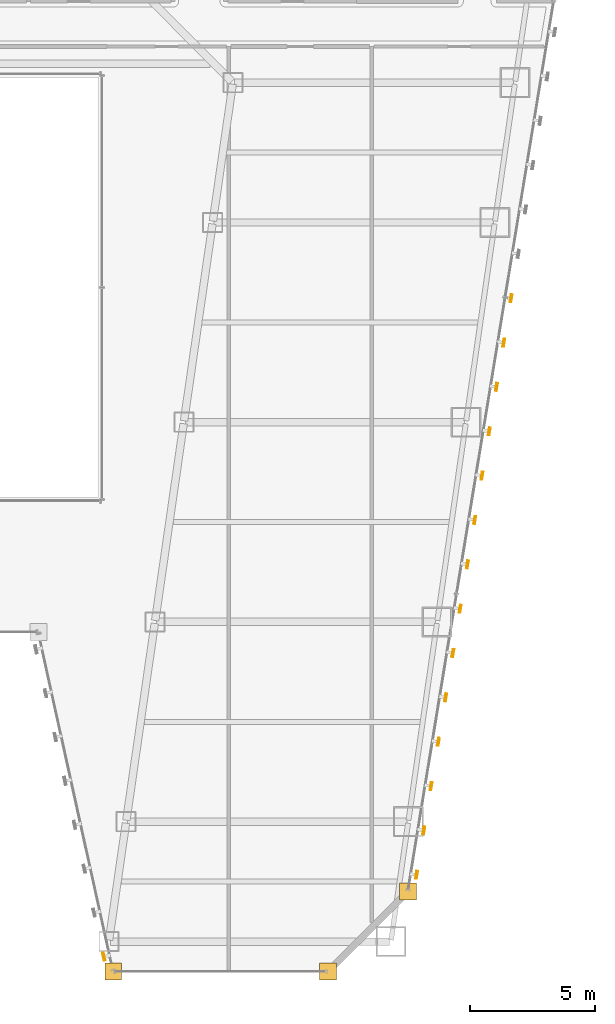
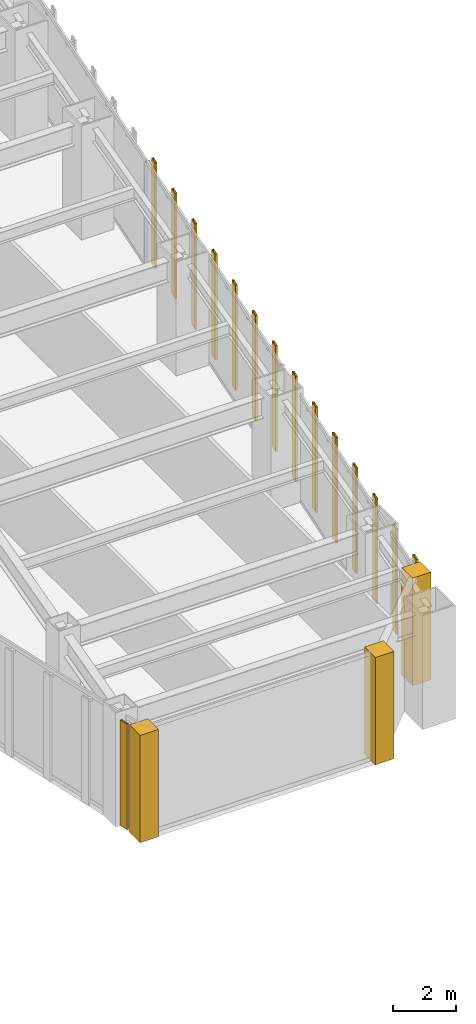
# One storey, part 44 of 49: 15 shading devices, 3 coverings.
"""IFC4 building model written with IfcOpenShell, lengths in metres."""

from ifc_helpers import new_model, si_unit, direction, frame, origin, origin_2d, place, context, subcontext, project, spatial, polyline, hollow_rectangle, outline, extrude, material, layer, layer_set, material_profile, profile_set, type_object, element, save


model = new_model("IFC4")

# Units and contexts
model_context = context("Model", 3, precision=1e-05, world=origin(), true_north=direction((0.0, 1.0)))
body_context = subcontext(model_context, "Body", "Model", "MODEL_VIEW")
ifc_project = project(units=[si_unit("LENGTHUNIT", "METRE"), si_unit("AREAUNIT", "SQUARE_METRE"), si_unit("VOLUMEUNIT", "CUBIC_METRE"), si_unit("PLANEANGLEUNIT", "RADIAN"), si_unit("MASSUNIT", "GRAM", prefix="KILO")], contexts=[model_context])

# Site, building, storey
site_placement = place(None, origin())
site = spatial("IfcSite", under=ifc_project, at=site_placement, CompositionType="ELEMENT")
building_placement = place(site_placement, origin())
building = spatial("IfcBuilding", under=site, at=building_placement, Name="Saevonmaru Cultural Tower", CompositionType="ELEMENT")
storey_placement = place(building_placement, frame((0.0, 0.0, 73.60009765625)))
storey = spatial("IfcBuildingStorey", under=building, at=storey_placement, Name="L15", CompositionType="ELEMENT", Elevation=73.60009765625)

# Coverings
ifc_material = material(Name="Satin Bronze Anodised Aluminium", Category="aluminium")
ifc_layer = layer(ifc_material, 0.679931640625, Name="Satin Bronze Anodised Aluminium")
ifc_layer_set = layer_set([ifc_layer], Name="Satin Bronze Anodised Aluminium")
covering_type = type_object("IfcCoveringType", Name="CV-CORNER-CLAD", PredefinedType="CLADDING", material=ifc_layer_set)
covering_1_placement = place(storey_placement, origin())
element("IfcCovering", 1, at=covering_1_placement, inside=storey, type_object=covering_type, Name="L15 Tower Bronze Corner Cladding Pier 6", PredefinedType="CLADDING", context=body_context, shape_type="SweptSolid", body=[
    extrude(outline(polyline([(36.06005859375, 1.659912109375), (36.739990234375, 1.659912109375), (36.739990234375, 2.340087890625), (36.06005859375, 2.340087890625), (36.06005859375, 1.659912109375)])), origin(), (0.0, 0.0, 1.0), 4.14990234375),
])
covering_2_placement = place(storey_placement, origin())
element("IfcCovering", 2, at=covering_2_placement, inside=storey, type_object=covering_type, Name="L15 Tower Bronze Corner Cladding Pier 7", PredefinedType="CLADDING", context=body_context, shape_type="SweptSolid", body=[
    extrude(outline(polyline([(44.659912109375, 1.659912109375), (45.340087890625, 1.659912109375), (45.340087890625, 2.340087890625), (44.659912109375, 2.340087890625), (44.659912109375, 1.659912109375)])), origin(), (0.0, 0.0, 1.0), 4.14990234375),
])
covering_3_placement = place(storey_placement, origin())
element("IfcCovering", 3, at=covering_3_placement, inside=storey, type_object=covering_type, Name="L15 Tower Bronze Corner Cladding Pier 8", PredefinedType="CLADDING", context=body_context, shape_type="SweptSolid", body=[
    extrude(outline(polyline([(47.860107421875, 4.860107421875), (48.5400390625, 4.860107421875), (48.5400390625, 5.5400390625), (47.860107421875, 5.5400390625), (47.860107421875, 4.860107421875)])), origin(), (0.0, 0.0, 1.0), 4.14990234375),
])

# Shading devices
ifc_material_profile = material_profile(ifc_material, hollow_rectangle(XDim=0.070068359375, YDim=0.320068359375, WallThickness=0.0048828125, at=origin_2d()), Name="FIN-320x70")
ifc_profile_set = profile_set([ifc_material_profile], Name="Satin Bronze Anodised Aluminium")
shading_device_type = type_object("IfcShadingDeviceType", Name="SHD-FIN-320", PredefinedType="JALOUSIE", material=ifc_profile_set)
for number, where, z_axis, x_axis, name in (
    (4, (36.022705078125, 2.59619140625, 0.0498046875), (0.0, 0.0, 1.0), (-0.976522126798, -0.215417120661, 0.0), "L15 Art Deco Sawtooth Bronze Fin E5-08"),
    (5, (48.552978515625, 5.869140625, 0.0498046875), (0.0, 0.0, 1.0), (0.986827496189, -0.161776057456, 0.0), "L15 Art Deco Sawtooth Bronze Fin E8-01"),
    (6, (48.843994140625, 7.6455078125, 0.0498046875), (0.0, 0.0, 1.0), (0.986827496189, -0.161776057456, 0.0), "L15 Art Deco Sawtooth Bronze Fin E8-02"),
    (7, (49.135009765625, 9.421875, 0.0498046875), (0.0, 0.0, 1.0), (0.986827496189, -0.161776057456, 0.0), "L15 Art Deco Sawtooth Bronze Fin E8-03"),
    (8, (49.426025390625, 11.197998046875, 0.0498046875), (0.0, 0.0, 1.0), (0.986827496189, -0.161776057456, 0.0), "L15 Art Deco Sawtooth Bronze Fin E8-04"),
    (9, (49.71728515625, 12.974365234375, 0.0498046875), (0.0, 0.0, 1.0), (0.986827496189, -0.161776057456, 0.0), "L15 Art Deco Sawtooth Bronze Fin E8-05"),
    (10, (50.00830078125, 14.750732421875, 0.0498046875), (0.0, 0.0, 1.0), (0.986827496189, -0.161776057456, 0.0), "L15 Art Deco Sawtooth Bronze Fin E8-06"),
    (11, (50.29931640625, 16.527099609375, 0.0498046875), (0.0, 0.0, 1.0), (0.986827496189, -0.161776057456, 0.0), "L15 Art Deco Sawtooth Bronze Fin E8-07"),
    (12, (50.59033203125, 18.30322265625, 0.0498046875), (0.0, 0.0, 1.0), (0.986827496189, -0.161776057456, 0.0), "L15 Art Deco Sawtooth Bronze Fin E8-08"),
    (13, (50.881591796875, 20.07958984375, 0.0498046875), (0.0, 0.0, 1.0), (0.986827496189, -0.161776057456, 0.0), "L15 Art Deco Sawtooth Bronze Fin E8-09"),
    (14, (51.172607421875, 21.85595703125, 0.0498046875), (0.0, 0.0, 1.0), (0.986827496189, -0.161776057456, 0.0), "L15 Art Deco Sawtooth Bronze Fin E8-10"),
    (15, (51.463623046875, 23.63232421875, 0.0498046875), (0.0, 0.0, 1.0), (0.986827496189, -0.161776057456, 0.0), "L15 Art Deco Sawtooth Bronze Fin E8-11"),
    (16, (51.754638671875, 25.40869140625, 0.0498046875), (0.0, 0.0, 1.0), (0.986827496189, -0.161776057456, 0.0), "L15 Art Deco Sawtooth Bronze Fin E8-12"),
    (17, (52.0458984375, 27.184814453125, 0.0498046875), (0.0, 0.0, 1.0), (0.986827496189, -0.161776057456, 0.0), "L15 Art Deco Sawtooth Bronze Fin E8-13"),
    (18, (52.3369140625, 28.961181640625, 0.0498046875), (0.0, 0.0, 1.0), (0.986827496189, -0.161776057456, 0.0), "L15 Art Deco Sawtooth Bronze Fin E8-14"),
):
    element("IfcShadingDevice", number, at=place(storey_placement, frame(where, z_axis=z_axis, x_axis=x_axis)), inside=storey, type_object=shading_device_type, Name=name, PredefinedType="JALOUSIE", context=body_context, shape_type="SweptSolid", body=[
        extrude(hollow_rectangle(XDim=0.070068359375, YDim=0.320068359375, WallThickness=0.0048828125, at=origin_2d()), origin(), (0.0, 0.0, 1.0), 4.080078125),
    ])

save(model, "model.ifc")
